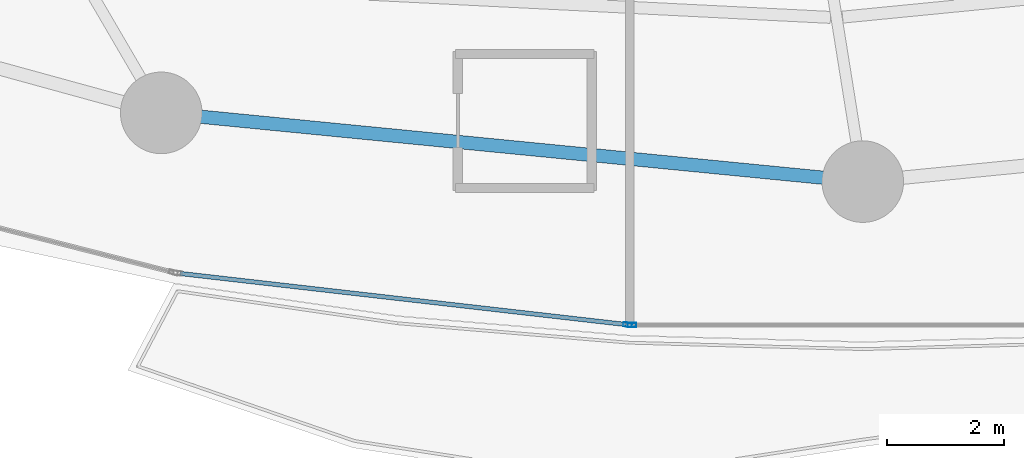
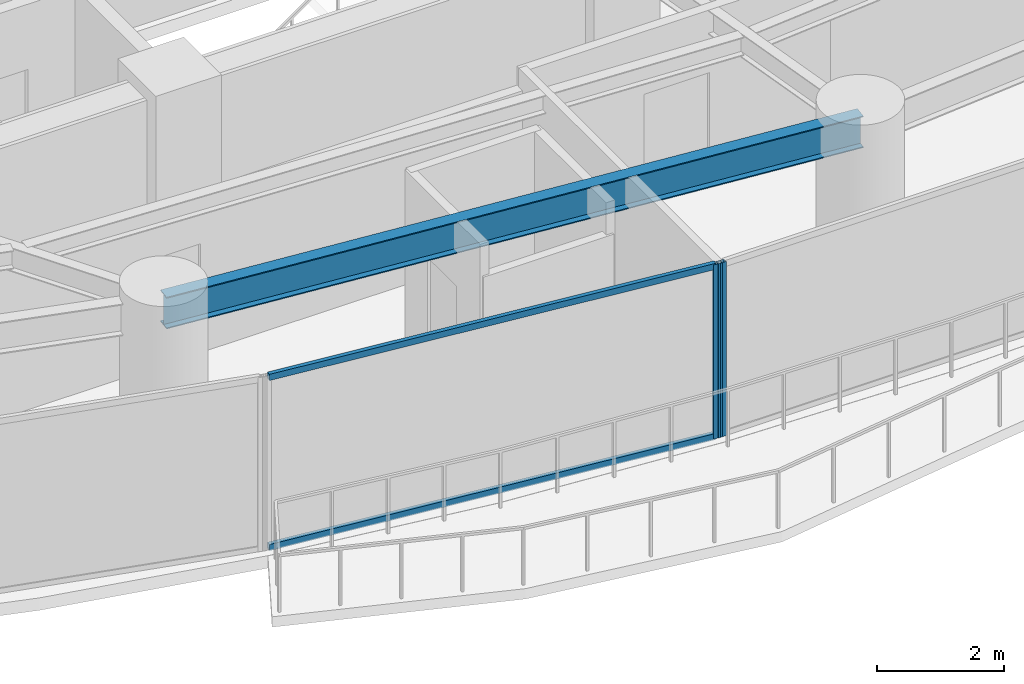
# One storey, part 6 of 31: 4 members, 1 beam, 2 elements without a shape of their own.
"""IFC4 building model written with IfcOpenShell, lengths in metres."""

import ifcopenshell
import ifcopenshell.guid

model = None  # the IFC model being written
_history = None  # IfcOwnerHistory: only IFC2X3 demands one
_inside = {}  # id of a spatial element -> (the spatial element, [elements in it])
_under = {}  # id of a project, library or spatial element -> (it, [spatial elements below it])
_declared = {}  # id of a project -> (the project, [libraries it declares])
_typed = {}  # id of a type object -> (the type object, [elements of that type])
_made_of = {}  # id of a material, layer set ... -> (it, [elements and type objects made of it])


def new_model(schema):
    """Start an empty IFC model of exactly this schema.

    Asked for "IFC4X3", IfcOpenShell would pick the latest addendum, in which some entities
    have other attributes; the version numbers below select the first issue.
    IFC2X3 requires an IfcOwnerHistory on every rooted entity: one is made here for all.
    """
    global model, _history
    if schema == "IFC4X3":
        model = ifcopenshell.file(schema_version=(4, 3, 0, 0))
    else:
        model = ifcopenshell.file(schema=schema)
    _inside.clear()
    _under.clear()
    _declared.clear()
    _typed.clear()
    _made_of.clear()
    _history = None
    if model.schema == "IFC2X3":
        org = make("IfcOrganization", Name="unknown")
        user = make(
            "IfcPersonAndOrganization",
            ThePerson=make("IfcPerson", FamilyName="unknown"),
            TheOrganization=org,
        )
        app = make(
            "IfcApplication",
            ApplicationDeveloper=org,
            Version="unknown",
            ApplicationFullName="unknown",
            ApplicationIdentifier="unknown",
        )
        _history = make(
            "IfcOwnerHistory",
            OwningUser=user,
            OwningApplication=app,
            ChangeAction="ADDED",
            CreationDate=0,
        )
    return model


def make(cls, **values):
    """One entity of the class cls with the attributes given. An attribute that is None is left unset."""
    return model.create_entity(
        cls, **{name: value for name, value in values.items() if value is not None}
    )


def rooted(cls, **values):
    """An entity with a GlobalId (a new one), such as an element, a storey or a relation."""
    return make(cls, GlobalId=ifcopenshell.guid.new(), OwnerHistory=_history, **values)


def si_unit(unit_type, name, prefix=None):
    """IfcSIUnit, for example si_unit("LENGTHUNIT", "METRE", prefix="MILLI")."""
    return make("IfcSIUnit", UnitType=unit_type, Prefix=prefix, Name=name)


def assignment(units):
    """IfcUnitAssignment: the units of a project."""
    return None if units is None else make("IfcUnitAssignment", Units=units)


def point(xyz):
    """IfcCartesianPoint."""
    return None if xyz is None else make("IfcCartesianPoint", Coordinates=xyz)


def direction(xyz):
    """IfcDirection."""
    return None if xyz is None else make("IfcDirection", DirectionRatios=xyz)


def frame(location, z_axis=None, x_axis=None):
    """IfcAxis2Placement3D, a coordinate frame: its origin and axes. An axis left out is left unset."""
    return make(
        "IfcAxis2Placement3D",
        Location=point(location),
        Axis=direction(z_axis),
        RefDirection=direction(x_axis),
    )


def frame_2d(location, x_axis=None):
    """IfcAxis2Placement2D, a coordinate frame in the plane: its origin and x axis."""
    return make(
        "IfcAxis2Placement2D", Location=point(location), RefDirection=direction(x_axis)
    )


def origin():
    """The frame at (0, 0, 0) with its axes left unset."""
    return frame((0.0, 0.0, 0.0))


def origin_2d():
    """The frame at (0, 0) in the plane with its x axis left unset."""
    return frame_2d((0.0, 0.0))


def place(relative_to, where):
    """IfcLocalPlacement: puts the frame where relative to a parent placement (None: the world)."""
    return make(
        "IfcLocalPlacement", PlacementRelTo=relative_to, RelativePlacement=where
    )


def context(
    kind, dimensions, precision=None, world=None, true_north=None, identifier=None
):
    """IfcGeometricRepresentationContext, for example the 3D "Model" context."""
    return make(
        "IfcGeometricRepresentationContext",
        ContextIdentifier=identifier,
        ContextType=kind,
        CoordinateSpaceDimension=dimensions,
        Precision=precision,
        WorldCoordinateSystem=world,
        TrueNorth=true_north,
    )


def subcontext(parent, identifier, kind, view, scale=None):
    """IfcGeometricRepresentationSubContext, for example "Body" below "Model"."""
    return make(
        "IfcGeometricRepresentationSubContext",
        ContextIdentifier=identifier,
        ContextType=kind,
        ParentContext=parent,
        TargetScale=scale,
        TargetView=view,
    )


def project(units=None, contexts=None):
    """IfcProject with its units and contexts."""
    return rooted(
        "IfcProject",
        Name="project",
        RepresentationContexts=contexts,
        UnitsInContext=assignment(units),
    )


def spatial(cls, under=None, at=None, **own):
    """A site, building, storey or space (cls), placed at a placement, below another one or the project."""
    s = rooted(cls, ObjectPlacement=at, **own)
    if under is not None:
        _under.setdefault(under.id(), (under, []))[1].append(s)
    return s


def profile(cls, at=None, kind="AREA", **sizes):
    """A parametric profile (cls). Its sizes go by their IFC names, for example OverallWidth=200.0."""
    return make(cls, ProfileType=kind, Position=at, **sizes)


def hollow_rectangle(**sizes):
    """IfcRectangleHollowProfileDef."""
    return profile("IfcRectangleHollowProfileDef", **sizes)


def i_section(**sizes):
    """IfcIShapeProfileDef."""
    return profile("IfcIShapeProfileDef", **sizes)


def extrude(swept, where, along, depth):
    """IfcExtrudedAreaSolid: the profile swept, set in the frame where, extruded along a direction by depth."""
    return make(
        "IfcExtrudedAreaSolid",
        SweptArea=swept,
        Position=where,
        ExtrudedDirection=direction(along),
        Depth=depth,
    )


def shape(context_of_items, identifier, shape_type, items):
    """IfcShapeRepresentation: the items that make up one representation, for example the "Body"."""
    return make(
        "IfcShapeRepresentation",
        ContextOfItems=context_of_items,
        RepresentationIdentifier=identifier,
        RepresentationType=shape_type,
        Items=items,
    )


def material(Name=None, Category=None):
    """IfcMaterial."""
    return make("IfcMaterial", Name=Name, Category=Category)


def layer(
    of_material, thickness, ventilated=None, Name=None, Category=None, Priority=None
):
    """IfcMaterialLayer: one layer of a wall or slab, of a material (None: an air gap)."""
    return make(
        "IfcMaterialLayer",
        Material=of_material,
        LayerThickness=thickness,
        IsVentilated=ventilated,
        Name=Name,
        Category=Category,
        Priority=Priority,
    )


def layer_set(layers, Name=None):
    """IfcMaterialLayerSet."""
    return make("IfcMaterialLayerSet", MaterialLayers=layers, LayerSetName=Name)


def material_profile(
    of_material, cross_section, Name=None, Category=None, Priority=None
):
    """IfcMaterialProfile: a cross section and its material."""
    return make(
        "IfcMaterialProfile",
        Name=Name,
        Material=of_material,
        Profile=cross_section,
        Priority=Priority,
        Category=Category,
    )


def profile_set(profiles, Name=None, composite=None):
    """IfcMaterialProfileSet."""
    return make(
        "IfcMaterialProfileSet",
        Name=Name,
        MaterialProfiles=profiles,
        CompositeProfile=composite,
    )


def made_of(thing, what):
    """Note that an element or type object is made of a material, layer set ...; save() writes the relation."""
    if what is not None:
        _made_of.setdefault(what.id(), (what, []))[1].append(thing)
    return thing


def type_object(cls, material=None, **own):
    """A type object (cls), such as IfcWallType, which elements share."""
    return made_of(rooted(cls, **own), material)


def element(
    cls,
    number,
    at=None,
    inside=None,
    cuts=None,
    type_object=None,
    material=None,
    context=None,
    identifier="Body",
    shape_type=None,
    held_by="IfcProductDefinitionShape",
    body=None,
    shapes=None,
    **own,
):
    """One element of the class cls, such as IfcWall. Its Tag is "e" and its number.

    at: its placement. inside: the storey or other place that contains it. cuts: it is an
    opening in that element (IfcRelVoidsElement). A single representation is given by context,
    identifier, shape_type and body (its items); several are given by shapes. held_by: the class
    of the entity that holds the representations. save() writes the other relations.
    """
    e = rooted(cls, Tag="e%d" % number, ObjectPlacement=at, **own)
    if body is not None:
        shapes = [shape(context, identifier, shape_type, body)]
    if shapes is not None:
        e.Representation = make(held_by, Representations=shapes)
    if inside is not None:
        _inside.setdefault(inside.id(), (inside, []))[1].append(e)
    if cuts is not None:
        rooted(
            "IfcRelVoidsElement", RelatingBuildingElement=cuts, RelatedOpeningElement=e
        )
    if type_object is not None:
        _typed.setdefault(type_object.id(), (type_object, []))[1].append(e)
    return made_of(e, material)


def aggregate(whole, parts):
    """IfcRelAggregates: a whole, such as a stair, and the parts it consists of."""
    return rooted("IfcRelAggregates", RelatingObject=whole, RelatedObjects=parts)


def save(model, path):
    """Write the relations noted so far, then the file.

    IfcRelAggregates (storeys below a building ...), IfcRelContainedInSpatialStructure (elements
    in a storey), IfcRelDefinesByType, IfcRelAssociatesMaterial and IfcRelDeclares: one each for
    every whole, place, type object, material and project.
    """
    for whole, parts in _under.values():
        aggregate(whole, parts)
    for where, things in _inside.values():
        rooted(
            "IfcRelContainedInSpatialStructure",
            RelatedElements=things,
            RelatingStructure=where,
        )
    for kind, things in _typed.values():
        rooted("IfcRelDefinesByType", RelatedObjects=things, RelatingType=kind)
    for what, things in _made_of.values():
        rooted("IfcRelAssociatesMaterial", RelatedObjects=things, RelatingMaterial=what)
    for by, libraries in _declared.values():
        rooted("IfcRelDeclares", RelatingContext=by, RelatedDefinitions=libraries)
    model.write(path)


model = new_model("IFC4")

# Units and contexts
model_context = context("Model", 3, precision=1e-05, world=origin(), true_north=direction((0.0, 1.0)))
body_context = subcontext(model_context, "Body", "Model", "MODEL_VIEW")
ifc_project = project(units=[si_unit("LENGTHUNIT", "METRE"), si_unit("AREAUNIT", "SQUARE_METRE"), si_unit("VOLUMEUNIT", "CUBIC_METRE"), si_unit("PLANEANGLEUNIT", "RADIAN"), si_unit("MASSUNIT", "GRAM", prefix="KILO")], contexts=[model_context])

# Site, building, storey
site_placement = place(None, origin())
site = spatial("IfcSite", under=ifc_project, at=site_placement, CompositionType="ELEMENT")
building_placement = place(site_placement, origin())
building = spatial("IfcBuilding", under=site, at=building_placement, Name="Kazevale Care Tower and Concert Hall", CompositionType="ELEMENT")
storey_placement = place(building_placement, frame((0.0, 0.0, 60.0)))
storey = spatial("IfcBuildingStorey", under=building, at=storey_placement, Name="L15", CompositionType="ELEMENT", Elevation=60.0)

# Curtain wall, member
ifc_material_1 = material(Name="Aluminium 6063-T6 and Low-E Glass", Category="aluminium")
ifc_layer = layer(ifc_material_1, 0.179931640625)
ifc_layer_set = layer_set([ifc_layer], Name="Aluminium 6063-T6 and Low-E Glass")
curtain_wall_type = type_object("IfcCurtainWallType", Name="Sheltered Concave Balcony Curtain Wall CW-5", PredefinedType="NOTDEFINED", material=ifc_layer_set)
curtain_wall_1_placement = place(storey_placement, origin())
curtain_wall_1 = element("IfcCurtainWall", 1, at=curtain_wall_1_placement, inside=storey, type_object=curtain_wall_type, Name="cw:L15:f06", PredefinedType="NOTDEFINED")
ifc_material_2 = material(Name="Aluminium 6063-T6", Category="aluminium")
ifc_material_profile_1 = material_profile(ifc_material_2, hollow_rectangle(XDim=0.074951171875, YDim=0.14990234375, WallThickness=0.00390625, at=origin_2d()), Name="ALU75x150x4")
ifc_profile_set_1 = profile_set([ifc_material_profile_1], Name="Aluminium 6063-T6")
member_type_1 = type_object("IfcMemberType", Name="CW-5 Mullion ALU75x150x4", PredefinedType="MULLION", material=ifc_profile_set_1)
member_1_placement = place(storey_placement, frame((41.03955078125, 14.889892578125, 0.0), z_axis=(0.0, 0.0, 1.0), x_axis=(0.0, -1.0, 0.0)))
member_1 = element("IfcMember", 2, at=member_1_placement, type_object=member_type_1, Name="CW-5 mullion 2", PredefinedType="MULLION", context=body_context, shape_type="SweptSolid", body=[
    extrude(hollow_rectangle(XDim=0.074951171875, YDim=0.14990234375, WallThickness=0.00390625, at=origin_2d()), origin(), (0.0, 0.0, 1.0), 3.360107421875),
])
aggregate(curtain_wall_1, [member_1])

# Curtain wall, members
curtain_wall_2_placement = place(storey_placement, origin())
curtain_wall_2 = element("IfcCurtainWall", 3, at=curtain_wall_2_placement, inside=storey, type_object=curtain_wall_type, Name="cw:L15:f07", PredefinedType="NOTDEFINED")
member_2_placement = place(storey_placement, frame((40.96484375, 14.894287109375, 0.0), z_axis=(0.0, 0.0, 1.0), x_axis=(-0.113704773808, -0.993514581883, 0.0)))
member_2 = element("IfcMember", 4, at=member_2_placement, type_object=member_type_1, Name="CW-5 mullion 1", PredefinedType="MULLION", context=body_context, shape_type="SweptSolid", body=[
    extrude(hollow_rectangle(XDim=0.074951171875, YDim=0.14990234375, WallThickness=0.00390625, at=origin_2d()), origin(), (0.0, 0.0, 1.0), 3.360107421875),
])
ifc_material_profile_2 = material_profile(ifc_material_2, hollow_rectangle(XDim=0.074951171875, YDim=0.1201171875, WallThickness=0.00390625, at=origin_2d()), Name="ALU75x120x4")
ifc_profile_set_2 = profile_set([ifc_material_profile_2], Name="Aluminium 6063-T6")
member_type_2 = type_object("IfcMemberType", Name="CW-5 Transom ALU75x120x4", PredefinedType="USERDEFINED", material=ifc_profile_set_2)
member_3_placement = place(storey_placement, frame((40.927490234375, 14.8984375, 0.03759765625), z_axis=(-0.993513842403, 0.113711234948, 0.0), x_axis=(-0.113711234948, -0.993513842403, 0.0)))
member_3 = element("IfcMember", 5, at=member_3_placement, type_object=member_type_2, Name="CW-5 transom 1.1", ObjectType="TRANSOM", PredefinedType="USERDEFINED", context=body_context, shape_type="SweptSolid", body=[
    extrude(hollow_rectangle(XDim=0.074951171875, YDim=0.1201171875, WallThickness=0.00390625, at=origin_2d()), origin(), (0.0, 0.0, 1.0), 7.69482421875),
])
member_4_placement = place(storey_placement, frame((40.927490234375, 14.8984375, 3.322509765625), z_axis=(-0.993513842403, 0.113711234948, 0.0), x_axis=(-0.113711234948, -0.993513842403, 0.0)))
member_4 = element("IfcMember", 6, at=member_4_placement, type_object=member_type_2, Name="CW-5 transom 1.2", ObjectType="TRANSOM", PredefinedType="USERDEFINED", context=body_context, shape_type="SweptSolid", body=[
    extrude(hollow_rectangle(XDim=0.074951171875, YDim=0.1201171875, WallThickness=0.00390625, at=origin_2d()), origin(), (0.0, 0.0, 1.0), 7.69482421875),
])
aggregate(curtain_wall_2, [member_2, member_3, member_4])

# Beam
ifc_material_3 = material(Name="Steel ASTM A572 Gr 50", Category="steel")
ifc_material_profile_3 = material_profile(ifc_material_3, i_section(OverallWidth=0.22900390625, OverallDepth=0.612060546875, WebThickness=0.011962890625, FlangeThickness=0.01953125, at=origin_2d()), Name="W610x125")
ifc_profile_set_3 = profile_set([ifc_material_profile_3], Name="Steel ASTM A572 Gr 50")
beam_type = type_object("IfcBeamType", Name="Ring Spandrel Beam W610x125", PredefinedType="SPANDREL", material=ifc_profile_set_3)
beam_placement = place(storey_placement, frame((32.9599609375, 18.530029296875, 3.053955078125), z_axis=(0.995232251602, -0.09753340644, 0.0), x_axis=(0.09753340644, 0.995232251602, 0.0)))
element("IfcBeam", 7, at=beam_placement, inside=storey, type_object=beam_type, Name="beam:L15:ring:12", PredefinedType="SPANDREL", context=body_context, shape_type="SweptSolid", body=[
    extrude(i_section(OverallWidth=0.22900390625, OverallDepth=0.612060546875, WebThickness=0.011962890625, FlangeThickness=0.01953125, at=origin_2d()), origin(), (0.0, 0.0, 1.0), 12.09765625),
])

save(model, "model.ifc")
